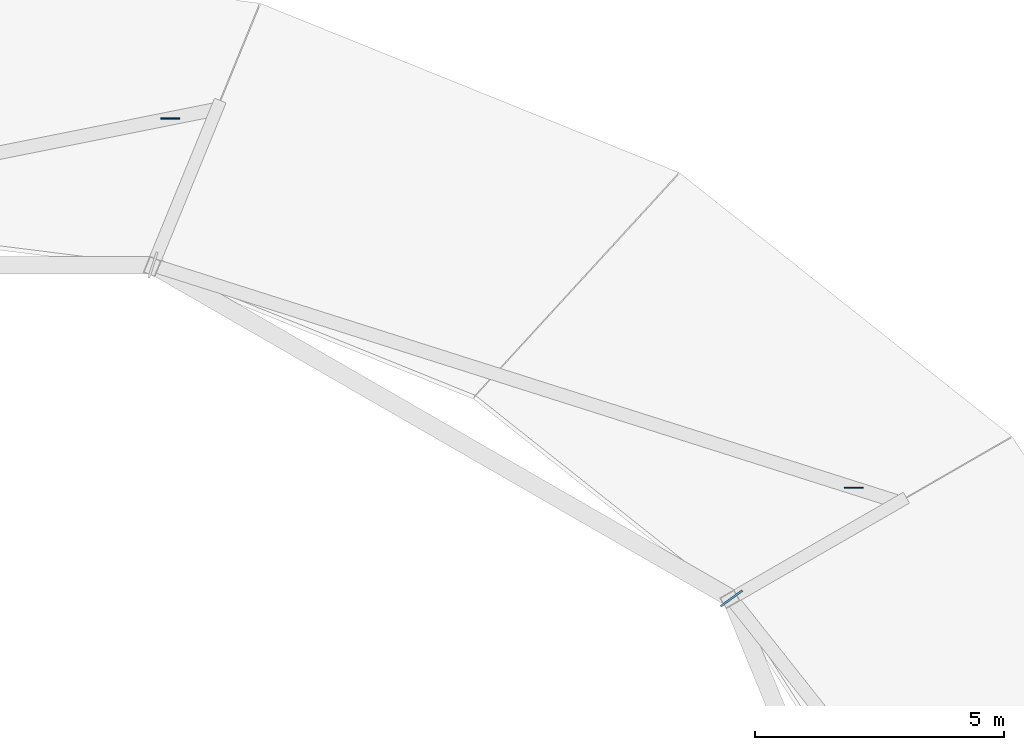
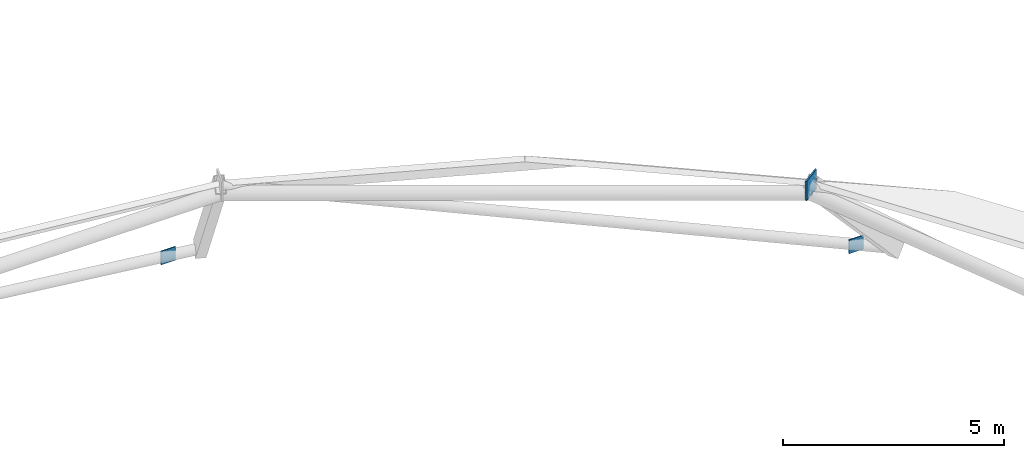
# One storey, part 33 of 59: 3 plates.
"""IFC4 building model written with IfcOpenShell, lengths in metres."""

from ifc_helpers import new_model, si_unit, direction, frame, origin, origin_2d, place, context, subcontext, project, spatial, rectangle, extrude, material, layer, layer_set, type_object, element, save


model = new_model("IFC4")

# Units and contexts
model_context = context("Model", 3, precision=1e-05, world=origin(), true_north=direction((0.0, 1.0)))
body_context = subcontext(model_context, "Body", "Model", "MODEL_VIEW")
ifc_project = project(units=[si_unit("LENGTHUNIT", "METRE"), si_unit("AREAUNIT", "SQUARE_METRE"), si_unit("VOLUMEUNIT", "CUBIC_METRE"), si_unit("PLANEANGLEUNIT", "RADIAN"), si_unit("MASSUNIT", "GRAM", prefix="KILO")], contexts=[model_context])

# Site, building, storey
site_placement = place(None, origin())
site = spatial("IfcSite", under=ifc_project, at=site_placement, CompositionType="ELEMENT")
building_placement = place(site_placement, origin())
building = spatial("IfcBuilding", under=site, at=building_placement, Name="Sollismere Congress Hotel", CompositionType="ELEMENT")
storey_placement = place(building_placement, frame((0.0, 0.0, 15.60009765625)))
storey = spatial("IfcBuildingStorey", under=building, at=storey_placement, Name="L03", CompositionType="ELEMENT", Elevation=15.60009765625)

# Plates
ifc_material = material(Name="Steel ASTM A572 Grade 50", Category="steel")
ifc_layer_1 = layer(ifc_material, 0.02490234375, Name="Steel ASTM A572 Grade 50")
ifc_layer_set_1 = layer_set([ifc_layer_1], Name="Steel ASTM A572 Grade 50")
plate_type_1 = type_object("IfcPlateType", Name="PL-GS25", PredefinedType="USERDEFINED", material=ifc_layer_set_1)
for number, where, z_axis, x_axis, name in (
    (1, (50.226806640625, 103.43359375, 0.075927734375), (0.0, 0.0, 1.0), (1.0, 0.0, 0.0), "PLT-GDB0-02"),
    (2, (36.513427734375, 110.83984375, 0.075927734375), (0.0, 0.0, 1.0), (1.0, 0.0, 0.0), "PLT-GDB0-03"),
):
    element("IfcPlate", number, at=place(storey_placement, frame(where, z_axis=z_axis, x_axis=x_axis)), inside=storey, type_object=plate_type_1, Name=name, ObjectType="GUSSET PLATE", PredefinedType="USERDEFINED", context=body_context, shape_type="SweptSolid", body=[
        extrude(rectangle(XDim=0.3798828125, YDim=0.02490234375, at=origin_2d()), origin(), (0.0, 0.0, 1.0), 0.3798828125),
    ])
ifc_layer_2 = layer(ifc_material, 0.0400390625, Name="Steel ASTM A572 Grade 50")
ifc_layer_set_2 = layer_set([ifc_layer_2], Name="Steel ASTM A572 Grade 50")
plate_type_2 = type_object("IfcPlateType", Name="PL-GS40", PredefinedType="USERDEFINED", material=ifc_layer_set_2)
plate_placement = place(storey_placement, frame((47.769287109375, 101.21533203125, 3.849853515625), z_axis=(0.0, 0.0, 1.0), x_axis=(0.809016994375, 0.587785252292, 0.0)))
element("IfcPlate", 3, at=plate_placement, inside=storey, type_object=plate_type_2, Name="Dome ring gusset plate 1-02", ObjectType="GUSSET PLATE", PredefinedType="USERDEFINED", context=body_context, shape_type="SweptSolid", body=[
    extrude(rectangle(XDim=0.5400390625, YDim=0.0400390625, at=origin_2d()), origin(), (0.0, 0.0, 1.0), 0.5400390625),
])

save(model, "model.ifc")
